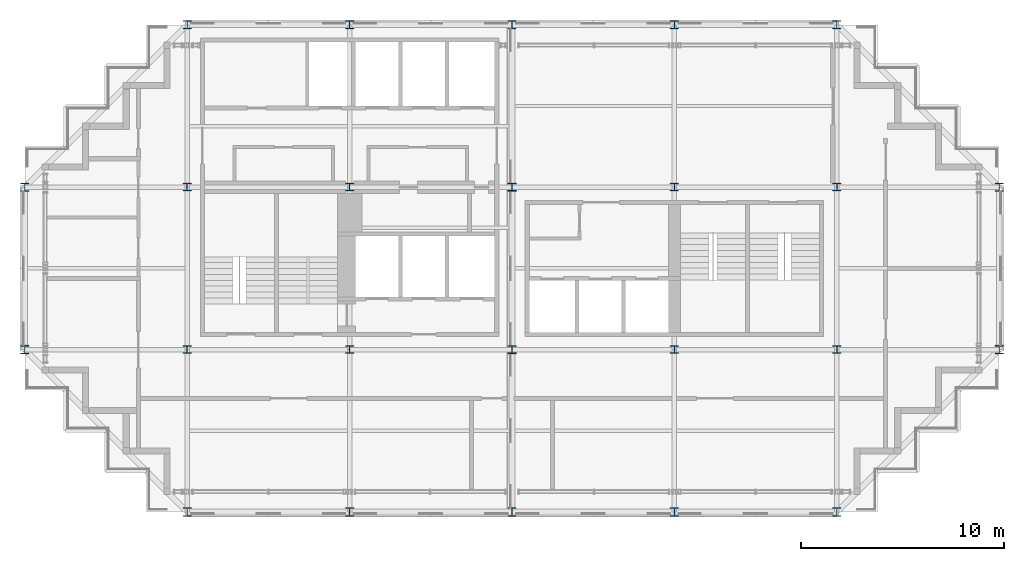
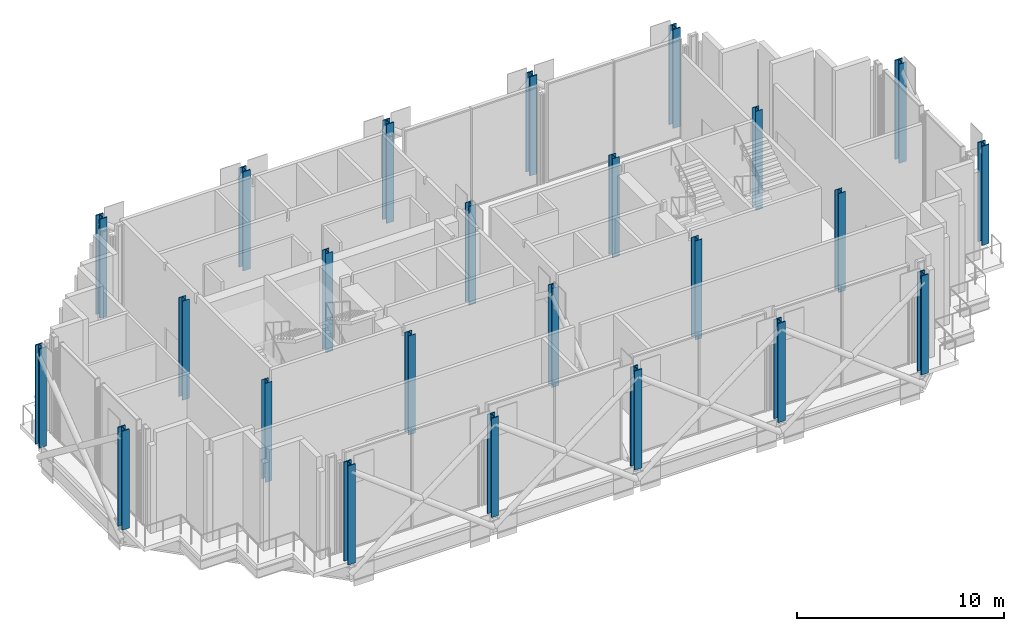
# One storey, part 1 of 16: 24 columns.
"""IFC4 building model written with IfcOpenShell, lengths in metres."""

import ifcopenshell
import ifcopenshell.guid

model = None  # the IFC model being written
_history = None  # IfcOwnerHistory: only IFC2X3 demands one
_inside = {}  # id of a spatial element -> (the spatial element, [elements in it])
_under = {}  # id of a project, library or spatial element -> (it, [spatial elements below it])
_declared = {}  # id of a project -> (the project, [libraries it declares])
_typed = {}  # id of a type object -> (the type object, [elements of that type])
_made_of = {}  # id of a material, layer set ... -> (it, [elements and type objects made of it])


def new_model(schema):
    """Start an empty IFC model of exactly this schema.

    Asked for "IFC4X3", IfcOpenShell would pick the latest addendum, in which some entities
    have other attributes; the version numbers below select the first issue.
    IFC2X3 requires an IfcOwnerHistory on every rooted entity: one is made here for all.
    """
    global model, _history
    if schema == "IFC4X3":
        model = ifcopenshell.file(schema_version=(4, 3, 0, 0))
    else:
        model = ifcopenshell.file(schema=schema)
    _inside.clear()
    _under.clear()
    _declared.clear()
    _typed.clear()
    _made_of.clear()
    _history = None
    if model.schema == "IFC2X3":
        org = make("IfcOrganization", Name="unknown")
        user = make(
            "IfcPersonAndOrganization",
            ThePerson=make("IfcPerson", FamilyName="unknown"),
            TheOrganization=org,
        )
        app = make(
            "IfcApplication",
            ApplicationDeveloper=org,
            Version="unknown",
            ApplicationFullName="unknown",
            ApplicationIdentifier="unknown",
        )
        _history = make(
            "IfcOwnerHistory",
            OwningUser=user,
            OwningApplication=app,
            ChangeAction="ADDED",
            CreationDate=0,
        )
    return model


def make(cls, **values):
    """One entity of the class cls with the attributes given. An attribute that is None is left unset."""
    return model.create_entity(
        cls, **{name: value for name, value in values.items() if value is not None}
    )


def rooted(cls, **values):
    """An entity with a GlobalId (a new one), such as an element, a storey or a relation."""
    return make(cls, GlobalId=ifcopenshell.guid.new(), OwnerHistory=_history, **values)


def si_unit(unit_type, name, prefix=None):
    """IfcSIUnit, for example si_unit("LENGTHUNIT", "METRE", prefix="MILLI")."""
    return make("IfcSIUnit", UnitType=unit_type, Prefix=prefix, Name=name)


def assignment(units):
    """IfcUnitAssignment: the units of a project."""
    return None if units is None else make("IfcUnitAssignment", Units=units)


def point(xyz):
    """IfcCartesianPoint."""
    return None if xyz is None else make("IfcCartesianPoint", Coordinates=xyz)


def direction(xyz):
    """IfcDirection."""
    return None if xyz is None else make("IfcDirection", DirectionRatios=xyz)


def frame(location, z_axis=None, x_axis=None):
    """IfcAxis2Placement3D, a coordinate frame: its origin and axes. An axis left out is left unset."""
    return make(
        "IfcAxis2Placement3D",
        Location=point(location),
        Axis=direction(z_axis),
        RefDirection=direction(x_axis),
    )


def frame_2d(location, x_axis=None):
    """IfcAxis2Placement2D, a coordinate frame in the plane: its origin and x axis."""
    return make(
        "IfcAxis2Placement2D", Location=point(location), RefDirection=direction(x_axis)
    )


def origin():
    """The frame at (0, 0, 0) with its axes left unset."""
    return frame((0.0, 0.0, 0.0))


def origin_2d():
    """The frame at (0, 0) in the plane with its x axis left unset."""
    return frame_2d((0.0, 0.0))


def place(relative_to, where):
    """IfcLocalPlacement: puts the frame where relative to a parent placement (None: the world)."""
    return make(
        "IfcLocalPlacement", PlacementRelTo=relative_to, RelativePlacement=where
    )


def context(
    kind, dimensions, precision=None, world=None, true_north=None, identifier=None
):
    """IfcGeometricRepresentationContext, for example the 3D "Model" context."""
    return make(
        "IfcGeometricRepresentationContext",
        ContextIdentifier=identifier,
        ContextType=kind,
        CoordinateSpaceDimension=dimensions,
        Precision=precision,
        WorldCoordinateSystem=world,
        TrueNorth=true_north,
    )


def subcontext(parent, identifier, kind, view, scale=None):
    """IfcGeometricRepresentationSubContext, for example "Body" below "Model"."""
    return make(
        "IfcGeometricRepresentationSubContext",
        ContextIdentifier=identifier,
        ContextType=kind,
        ParentContext=parent,
        TargetScale=scale,
        TargetView=view,
    )


def project(units=None, contexts=None):
    """IfcProject with its units and contexts."""
    return rooted(
        "IfcProject",
        Name="project",
        RepresentationContexts=contexts,
        UnitsInContext=assignment(units),
    )


def spatial(cls, under=None, at=None, **own):
    """A site, building, storey or space (cls), placed at a placement, below another one or the project."""
    s = rooted(cls, ObjectPlacement=at, **own)
    if under is not None:
        _under.setdefault(under.id(), (under, []))[1].append(s)
    return s


def profile(cls, at=None, kind="AREA", **sizes):
    """A parametric profile (cls). Its sizes go by their IFC names, for example OverallWidth=200.0."""
    return make(cls, ProfileType=kind, Position=at, **sizes)


def i_section(**sizes):
    """IfcIShapeProfileDef."""
    return profile("IfcIShapeProfileDef", **sizes)


def extrude(swept, where, along, depth):
    """IfcExtrudedAreaSolid: the profile swept, set in the frame where, extruded along a direction by depth."""
    return make(
        "IfcExtrudedAreaSolid",
        SweptArea=swept,
        Position=where,
        ExtrudedDirection=direction(along),
        Depth=depth,
    )


def shape(context_of_items, identifier, shape_type, items):
    """IfcShapeRepresentation: the items that make up one representation, for example the "Body"."""
    return make(
        "IfcShapeRepresentation",
        ContextOfItems=context_of_items,
        RepresentationIdentifier=identifier,
        RepresentationType=shape_type,
        Items=items,
    )


def material(Name=None, Category=None):
    """IfcMaterial."""
    return make("IfcMaterial", Name=Name, Category=Category)


def material_profile(
    of_material, cross_section, Name=None, Category=None, Priority=None
):
    """IfcMaterialProfile: a cross section and its material."""
    return make(
        "IfcMaterialProfile",
        Name=Name,
        Material=of_material,
        Profile=cross_section,
        Priority=Priority,
        Category=Category,
    )


def profile_set(profiles, Name=None, composite=None):
    """IfcMaterialProfileSet."""
    return make(
        "IfcMaterialProfileSet",
        Name=Name,
        MaterialProfiles=profiles,
        CompositeProfile=composite,
    )


def made_of(thing, what):
    """Note that an element or type object is made of a material, layer set ...; save() writes the relation."""
    if what is not None:
        _made_of.setdefault(what.id(), (what, []))[1].append(thing)
    return thing


def type_object(cls, material=None, **own):
    """A type object (cls), such as IfcWallType, which elements share."""
    return made_of(rooted(cls, **own), material)


def element(
    cls,
    number,
    at=None,
    inside=None,
    cuts=None,
    type_object=None,
    material=None,
    context=None,
    identifier="Body",
    shape_type=None,
    held_by="IfcProductDefinitionShape",
    body=None,
    shapes=None,
    **own,
):
    """One element of the class cls, such as IfcWall. Its Tag is "e" and its number.

    at: its placement. inside: the storey or other place that contains it. cuts: it is an
    opening in that element (IfcRelVoidsElement). A single representation is given by context,
    identifier, shape_type and body (its items); several are given by shapes. held_by: the class
    of the entity that holds the representations. save() writes the other relations.
    """
    e = rooted(cls, Tag="e%d" % number, ObjectPlacement=at, **own)
    if body is not None:
        shapes = [shape(context, identifier, shape_type, body)]
    if shapes is not None:
        e.Representation = make(held_by, Representations=shapes)
    if inside is not None:
        _inside.setdefault(inside.id(), (inside, []))[1].append(e)
    if cuts is not None:
        rooted(
            "IfcRelVoidsElement", RelatingBuildingElement=cuts, RelatedOpeningElement=e
        )
    if type_object is not None:
        _typed.setdefault(type_object.id(), (type_object, []))[1].append(e)
    return made_of(e, material)


def aggregate(whole, parts):
    """IfcRelAggregates: a whole, such as a stair, and the parts it consists of."""
    return rooted("IfcRelAggregates", RelatingObject=whole, RelatedObjects=parts)


def save(model, path):
    """Write the relations noted so far, then the file.

    IfcRelAggregates (storeys below a building ...), IfcRelContainedInSpatialStructure (elements
    in a storey), IfcRelDefinesByType, IfcRelAssociatesMaterial and IfcRelDeclares: one each for
    every whole, place, type object, material and project.
    """
    for whole, parts in _under.values():
        aggregate(whole, parts)
    for where, things in _inside.values():
        rooted(
            "IfcRelContainedInSpatialStructure",
            RelatedElements=things,
            RelatingStructure=where,
        )
    for kind, things in _typed.values():
        rooted("IfcRelDefinesByType", RelatedObjects=things, RelatingType=kind)
    for what, things in _made_of.values():
        rooted("IfcRelAssociatesMaterial", RelatedObjects=things, RelatingMaterial=what)
    for by, libraries in _declared.values():
        rooted("IfcRelDeclares", RelatingContext=by, RelatedDefinitions=libraries)
    model.write(path)


model = new_model("IFC4")

# Units and contexts
model_context = context("Model", 3, precision=1e-05, world=origin(), true_north=direction((0.0, 1.0)))
body_context = subcontext(model_context, "Body", "Model", "MODEL_VIEW")
ifc_project = project(units=[si_unit("LENGTHUNIT", "METRE"), si_unit("AREAUNIT", "SQUARE_METRE"), si_unit("VOLUMEUNIT", "CUBIC_METRE"), si_unit("PLANEANGLEUNIT", "RADIAN"), si_unit("MASSUNIT", "GRAM", prefix="KILO")], contexts=[model_context])

# Site, building, storey
site_placement = place(None, origin())
site = spatial("IfcSite", under=ifc_project, at=site_placement, CompositionType="ELEMENT")
building_placement = place(site_placement, origin())
building = spatial("IfcBuilding", under=site, at=building_placement, Name="Immortelle Media Tower", CompositionType="ELEMENT")
storey_placement = place(building_placement, frame((0.0, 0.0, 241.0)))
storey = spatial("IfcBuildingStorey", under=building, at=storey_placement, Name="L52", CompositionType="ELEMENT", Elevation=241.0)

# Columns
ifc_material = material(Name="Steel ASTM A992 Gr 50", Category="steel")
ifc_material_profile_1 = material_profile(ifc_material, i_section(OverallWidth=0.39404296875, OverallDepth=0.3759765625, WebThickness=0.01708984375, FlangeThickness=0.028076171875, at=origin_2d()), Name="W14x145")
ifc_profile_set_1 = profile_set([ifc_material_profile_1], Name="Steel ASTM A992 Gr 50")
column_type_1 = type_object("IfcColumnType", Name="W14x145 column", PredefinedType="COLUMN", material=ifc_profile_set_1)
for number, where, z_axis, x_axis, name in (
    (1, (8.0, 8.0, 0.0), (0.0, 0.0, 1.0), (1.0, 0.0, 0.0), "Column 2/B"),
    (2, (8.0, 16.0, 0.0), (0.0, 0.0, 1.0), (1.0, 0.0, 0.0), "Column 2/C"),
    (3, (16.0, 8.0, 0.0), (0.0, 0.0, 1.0), (1.0, 0.0, 0.0), "Column 3/B"),
    (4, (16.0, 16.0, 0.0), (0.0, 0.0, 1.0), (1.0, 0.0, 0.0), "Column 3/C"),
    (5, (32.0, 8.0, 0.0), (0.0, 0.0, 1.0), (1.0, 0.0, 0.0), "Column 5/B"),
    (6, (32.0, 16.0, 0.0), (0.0, 0.0, 1.0), (1.0, 0.0, 0.0), "Column 5/C"),
    (7, (40.0, 8.0, 0.0), (0.0, 0.0, 1.0), (1.0, 0.0, 0.0), "Column 6/B"),
    (8, (40.0, 16.0, 0.0), (0.0, 0.0, 1.0), (1.0, 0.0, 0.0), "Column 6/C"),
):
    element("IfcColumn", number, at=place(storey_placement, frame(where, z_axis=z_axis, x_axis=x_axis)), inside=storey, type_object=column_type_1, Name=name, PredefinedType="COLUMN", context=body_context, shape_type="SweptSolid", body=[
        extrude(i_section(OverallWidth=0.39404296875, OverallDepth=0.3759765625, WebThickness=0.01708984375, FlangeThickness=0.028076171875, at=origin_2d()), origin(), (0.0, 0.0, 1.0), 5.85009765625),
    ])
ifc_material_profile_2 = material_profile(ifc_material, i_section(OverallWidth=0.39892578125, OverallDepth=0.385986328125, WebThickness=0.02099609375, FlangeThickness=0.032958984375, at=origin_2d()), Name="W14x176")
ifc_profile_set_2 = profile_set([ifc_material_profile_2], Name="Steel ASTM A992 Gr 50")
column_type_2 = type_object("IfcColumnType", Name="W14x176 column", PredefinedType="COLUMN", material=ifc_profile_set_2)
for number, where, z_axis, x_axis, name in (
    (9, (24.0, 8.0, 0.0), (0.0, 0.0, 1.0), (1.0, 0.0, 0.0), "Column 4/B"),
    (10, (24.0, 16.0, 0.0), (0.0, 0.0, 1.0), (1.0, 0.0, 0.0), "Column 4/C"),
):
    element("IfcColumn", number, at=place(storey_placement, frame(where, z_axis=z_axis, x_axis=x_axis)), inside=storey, type_object=column_type_2, Name=name, PredefinedType="COLUMN", context=body_context, shape_type="SweptSolid", body=[
        extrude(i_section(OverallWidth=0.39892578125, OverallDepth=0.385986328125, WebThickness=0.02099609375, FlangeThickness=0.032958984375, at=origin_2d()), origin(), (0.0, 0.0, 1.0), 5.85009765625),
    ])
ifc_material_profile_3 = material_profile(ifc_material, i_section(OverallWidth=0.410888671875, OverallDepth=0.43408203125, WebThickness=0.035888671875, FlangeThickness=0.056884765625, at=origin_2d()), Name="W14x311")
ifc_profile_set_3 = profile_set([ifc_material_profile_3], Name="Steel ASTM A992 Gr 50")
column_type_3 = type_object("IfcColumnType", Name="W14x311 column", PredefinedType="COLUMN", material=ifc_profile_set_3)
for number, where, z_axis, x_axis, name in (
    (11, (0.0, 8.0, 0.0), (0.0, 0.0, 1.0), (1.0, 0.0, 0.0), "Column 1/B"),
    (12, (0.0, 16.0, 0.0), (0.0, 0.0, 1.0), (1.0, 0.0, 0.0), "Column 1/C"),
    (13, (8.0, 0.0, 0.0), (0.0, 0.0, 1.0), (1.0, 0.0, 0.0), "Column 2/A"),
    (14, (8.0, 24.0, 0.0), (0.0, 0.0, 1.0), (1.0, 0.0, 0.0), "Column 2/D"),
    (15, (16.0, 0.0, 0.0), (0.0, 0.0, 1.0), (1.0, 0.0, 0.0), "Column 3/A"),
    (16, (16.0, 24.0, 0.0), (0.0, 0.0, 1.0), (1.0, 0.0, 0.0), "Column 3/D"),
    (17, (24.0, 0.0, 0.0), (0.0, 0.0, 1.0), (1.0, 0.0, 0.0), "Column 4/A"),
    (18, (24.0, 24.0, 0.0), (0.0, 0.0, 1.0), (1.0, 0.0, 0.0), "Column 4/D"),
    (19, (32.0, 0.0, 0.0), (0.0, 0.0, 1.0), (1.0, 0.0, 0.0), "Column 5/A"),
    (20, (32.0, 24.0, 0.0), (0.0, 0.0, 1.0), (1.0, 0.0, 0.0), "Column 5/D"),
    (21, (40.0, 0.0, 0.0), (0.0, 0.0, 1.0), (1.0, 0.0, 0.0), "Column 6/A"),
    (22, (40.0, 24.0, 0.0), (0.0, 0.0, 1.0), (1.0, 0.0, 0.0), "Column 6/D"),
    (23, (48.0, 8.0, 0.0), (0.0, 0.0, 1.0), (1.0, 0.0, 0.0), "Column 7/B"),
    (24, (48.0, 16.0, 0.0), (0.0, 0.0, 1.0), (1.0, 0.0, 0.0), "Column 7/C"),
):
    element("IfcColumn", number, at=place(storey_placement, frame(where, z_axis=z_axis, x_axis=x_axis)), inside=storey, type_object=column_type_3, Name=name, PredefinedType="COLUMN", context=body_context, shape_type="SweptSolid", body=[
        extrude(i_section(OverallWidth=0.410888671875, OverallDepth=0.43408203125, WebThickness=0.035888671875, FlangeThickness=0.056884765625, at=origin_2d()), origin(), (0.0, 0.0, 1.0), 5.85009765625),
    ])

save(model, "model.ifc")
